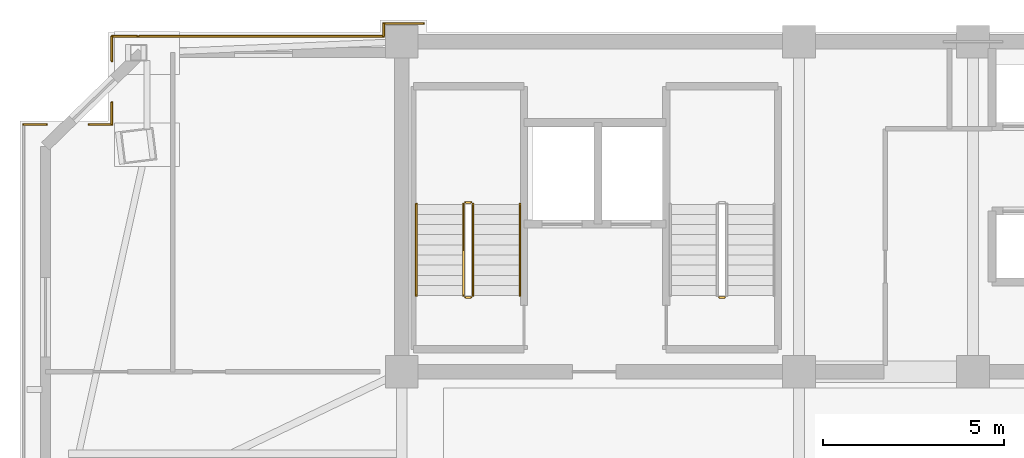
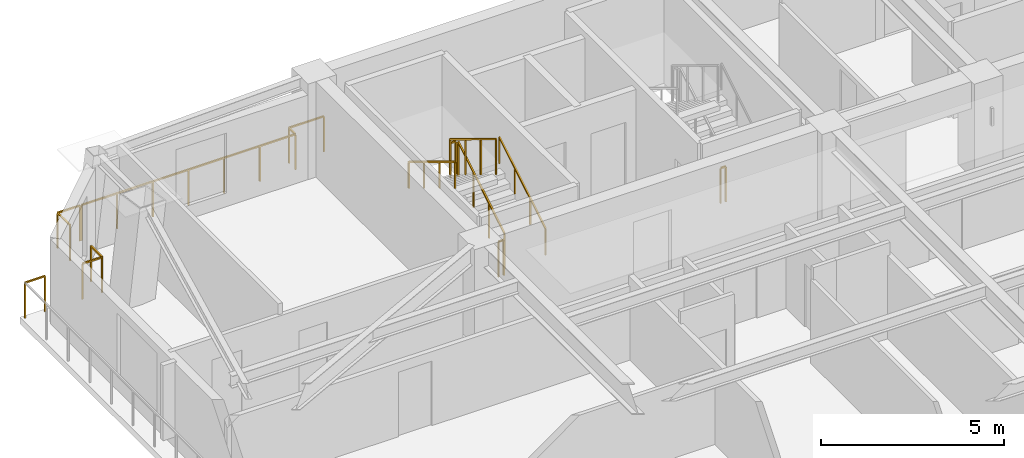
# One storey, part 13 of 15: 15 railings.
"""IFC4 building model written with IfcOpenShell, lengths in metres."""

from ifc_helpers import new_model, si_unit, direction, frame, origin, origin_2d, place, context, subcontext, project, spatial, rectangle, extrude, material, type_object, element, save


model = new_model("IFC4")

# Units and contexts
model_context = context("Model", 3, precision=1e-05, world=origin(), true_north=direction((0.0, 1.0)))
body_context = subcontext(model_context, "Body", "Model", "MODEL_VIEW")
ifc_project = project(units=[si_unit("LENGTHUNIT", "METRE"), si_unit("AREAUNIT", "SQUARE_METRE"), si_unit("VOLUMEUNIT", "CUBIC_METRE"), si_unit("PLANEANGLEUNIT", "RADIAN"), si_unit("MASSUNIT", "GRAM", prefix="KILO")], contexts=[model_context])

# Site, building, storey
site_placement = place(None, origin())
site = spatial("IfcSite", under=ifc_project, at=site_placement, CompositionType="ELEMENT")
building_placement = place(site_placement, origin())
building = spatial("IfcBuilding", under=site, at=building_placement, Name="Giltprow Tower", CompositionType="ELEMENT")
storey_placement = place(building_placement, frame((0.0, 0.0, 300.60009765625)))
storey = spatial("IfcBuildingStorey", under=building, at=storey_placement, Name="L77", CompositionType="ELEMENT", Elevation=300.60009765625)

# Railings
ifc_material = material(Name="Anodized bronze", Category="metal")
railing_type_1 = type_object("IfcRailingType", Name="RAIL-BALC-GUARD-1200", PredefinedType="BALUSTRADE", material=ifc_material)
railing_1_placement = place(storey_placement, frame((9.424072265625, 44.27001953125, 0.0)))
element("IfcRailing", 1, at=railing_1_placement, inside=storey, type_object=railing_type_1, Name="L77 Corner Apron Edge Balustrade 14", PredefinedType="BALUSTRADE", context=body_context, shape_type="SweptSolid", body=[
    extrude(rectangle(XDim=0.048095703125, YDim=0.048095703125, at=origin_2d()), frame((0.0, 0.0, 1.17578125), z_axis=(1.0, 0.0, 0.0), x_axis=(0.0, 1.0, 0.0)), (0.0, 0.0, 1.0), 0.6298828125),
    extrude(rectangle(XDim=0.0419921875, YDim=0.0419921875, at=origin_2d()), origin(), (0.0, 0.0, 1.0), 1.15185546875),
    extrude(rectangle(XDim=0.0419921875, YDim=0.0419921875, at=origin_2d()), frame((0.6298828125, 0.0, 0.0)), (0.0, 0.0, 1.0), 1.15185546875),
])
railing_2_placement = place(storey_placement, frame((11.23095703125, 44.27001953125, 0.0)))
element("IfcRailing", 2, at=railing_2_placement, inside=storey, type_object=railing_type_1, Name="L77 Corner Apron Edge Balustrade 15", PredefinedType="BALUSTRADE", context=body_context, shape_type="SweptSolid", body=[
    extrude(rectangle(XDim=0.048095703125, YDim=0.048095703125, at=origin_2d()), frame((0.0, 0.0, 1.17578125), z_axis=(1.0, 0.0, 0.0), x_axis=(0.0, 1.0, 0.0)), (0.0, 0.0, 1.0), 0.6240234375),
    extrude(rectangle(XDim=0.0419921875, YDim=0.0419921875, at=origin_2d()), origin(), (0.0, 0.0, 1.0), 1.15185546875),
    extrude(rectangle(XDim=0.0419921875, YDim=0.0419921875, at=origin_2d()), frame((0.6240234375, 0.0, 0.0)), (0.0, 0.0, 1.0), 1.15185546875),
])
railing_3_placement = place(storey_placement, frame((11.85498046875, 44.27001953125, 0.0)))
element("IfcRailing", 3, at=railing_3_placement, inside=storey, type_object=railing_type_1, Name="L77 Corner Apron Edge Balustrade 16", PredefinedType="BALUSTRADE", context=body_context, shape_type="SweptSolid", body=[
    extrude(rectangle(XDim=0.048095703125, YDim=0.048095703125, at=origin_2d()), frame((0.0, 0.0, 1.17578125), z_axis=(0.0, 1.0, 0.0), x_axis=(-1.0, 0.0, 0.0)), (0.0, 0.0, 1.0), 0.60693359375),
    extrude(rectangle(XDim=0.0419921875, YDim=0.0419921875, at=origin_2d()), origin(), (0.0, 0.0, 1.0), 1.15185546875),
    extrude(rectangle(XDim=0.0419921875, YDim=0.0419921875, at=origin_2d()), frame((0.0, 0.60693359375, 0.0)), (0.0, 0.0, 1.0), 1.15185546875),
])
railing_4_placement = place(storey_placement, frame((11.85498046875, 46.02001953125, 0.0)))
element("IfcRailing", 4, at=railing_4_placement, inside=storey, type_object=railing_type_1, Name="L77 Corner Apron Edge Balustrade 17", PredefinedType="BALUSTRADE", context=body_context, shape_type="SweptSolid", body=[
    extrude(rectangle(XDim=0.048095703125, YDim=0.048095703125, at=origin_2d()), frame((0.0, 0.0, 1.17578125), z_axis=(0.0, 1.0, 0.0), x_axis=(-1.0, 0.0, 0.0)), (0.0, 0.0, 1.0), 0.679931640625),
    extrude(rectangle(XDim=0.0419921875, YDim=0.0419921875, at=origin_2d()), origin(), (0.0, 0.0, 1.0), 1.15185546875),
    extrude(rectangle(XDim=0.0419921875, YDim=0.0419921875, at=origin_2d()), frame((0.0, 0.679931640625, 0.0)), (0.0, 0.0, 1.0), 1.15185546875),
])
railing_5_placement = place(storey_placement, frame((11.85498046875, 46.699951171875, 0.0)))
element("IfcRailing", 5, at=railing_5_placement, inside=storey, type_object=railing_type_1, Name="L77 Corner Apron Edge Balustrade 18", PredefinedType="BALUSTRADE", context=body_context, shape_type="SweptSolid", body=[
    extrude(rectangle(XDim=0.048095703125, YDim=0.048095703125, at=origin_2d()), frame((0.0, 0.0, 1.17578125), z_axis=(1.0, 0.0, 0.0), x_axis=(0.0, 1.0, 0.0)), (0.0, 0.0, 1.0), 0.699951171875),
    extrude(rectangle(XDim=0.0419921875, YDim=0.0419921875, at=origin_2d()), origin(), (0.0, 0.0, 1.0), 1.15185546875),
    extrude(rectangle(XDim=0.0419921875, YDim=0.0419921875, at=origin_2d()), frame((0.699951171875, 0.0, 0.0)), (0.0, 0.0, 1.0), 1.15185546875),
])
railing_6_placement = place(storey_placement, frame((12.60498046875, 46.699951171875, 0.0)))
element("IfcRailing", 6, at=railing_6_placement, inside=storey, type_object=railing_type_1, Name="L77 Corner Apron Edge Balustrade 19", PredefinedType="BALUSTRADE", context=body_context, shape_type="SweptSolid", body=[
    extrude(rectangle(XDim=0.048095703125, YDim=0.048095703125, at=origin_2d()), frame((0.0, 0.0, 1.17578125), z_axis=(1.0, 0.0, 0.0), x_axis=(0.0, 1.0, 0.0)), (0.0, 0.0, 1.0), 6.7451171875),
    extrude(rectangle(XDim=0.0419921875, YDim=0.0419921875, at=origin_2d()), origin(), (0.0, 0.0, 1.0), 1.15185546875),
    extrude(rectangle(XDim=0.0419921875, YDim=0.0419921875, at=origin_2d()), frame((1.124267578125, 0.0, 0.0)), (0.0, 0.0, 1.0), 1.15185546875),
    extrude(rectangle(XDim=0.0419921875, YDim=0.0419921875, at=origin_2d()), frame((2.248291015625, 0.0, 0.0)), (0.0, 0.0, 1.0), 1.15185546875),
    extrude(rectangle(XDim=0.0419921875, YDim=0.0419921875, at=origin_2d()), frame((3.37255859375, 0.0, 0.0)), (0.0, 0.0, 1.0), 1.15185546875),
    extrude(rectangle(XDim=0.0419921875, YDim=0.0419921875, at=origin_2d()), frame((4.496826171875, 0.0, 0.0)), (0.0, 0.0, 1.0), 1.15185546875),
    extrude(rectangle(XDim=0.0419921875, YDim=0.0419921875, at=origin_2d()), frame((5.620849609375, 0.0, 0.0)), (0.0, 0.0, 1.0), 1.15185546875),
    extrude(rectangle(XDim=0.0419921875, YDim=0.0419921875, at=origin_2d()), frame((6.7451171875, 0.0, 0.0)), (0.0, 0.0, 1.0), 1.15185546875),
])
railing_7_placement = place(storey_placement, frame((19.35009765625, 46.699951171875, 0.0)))
element("IfcRailing", 7, at=railing_7_placement, inside=storey, type_object=railing_type_1, Name="L77 Corner Apron Edge Balustrade 20", PredefinedType="BALUSTRADE", context=body_context, shape_type="SweptSolid", body=[
    extrude(rectangle(XDim=0.048095703125, YDim=0.048095703125, at=origin_2d()), frame((0.0, 0.0, 1.17578125), z_axis=(0.0, 1.0, 0.0), x_axis=(-1.0, 0.0, 0.0)), (0.0, 0.0, 1.0), 0.35009765625),
    extrude(rectangle(XDim=0.0419921875, YDim=0.0419921875, at=origin_2d()), origin(), (0.0, 0.0, 1.0), 1.15185546875),
    extrude(rectangle(XDim=0.0419921875, YDim=0.0419921875, at=origin_2d()), frame((0.0, 0.35009765625, 0.0)), (0.0, 0.0, 1.0), 1.15185546875),
])
railing_8_placement = place(storey_placement, frame((19.35009765625, 47.050048828125, 0.0)))
element("IfcRailing", 8, at=railing_8_placement, inside=storey, type_object=railing_type_1, Name="L77 Corner Apron Edge Balustrade 21", PredefinedType="BALUSTRADE", context=body_context, shape_type="SweptSolid", body=[
    extrude(rectangle(XDim=0.048095703125, YDim=0.048095703125, at=origin_2d()), frame((0.0, 0.0, 1.17578125), z_axis=(1.0, 0.0, 0.0), x_axis=(0.0, 1.0, 0.0)), (0.0, 0.0, 1.0), 1.099853515625),
    extrude(rectangle(XDim=0.0419921875, YDim=0.0419921875, at=origin_2d()), origin(), (0.0, 0.0, 1.0), 1.15185546875),
    extrude(rectangle(XDim=0.0419921875, YDim=0.0419921875, at=origin_2d()), frame((1.099853515625, 0.0, 0.0)), (0.0, 0.0, 1.0), 1.15185546875),
])
railing_type_2 = type_object("IfcRailingType", Name="RAIL-STAIR-GUARD-1200", PredefinedType="GUARDRAIL", material=ifc_material)
railing_9_placement = place(storey_placement, frame((21.81005859375, 39.550048828125, 0.169921875)))
element("IfcRailing", 9, at=railing_9_placement, inside=storey, type_object=railing_type_2, Name="L77 ST-1 stair guard 1", PredefinedType="GUARDRAIL", context=body_context, shape_type="SweptSolid", body=[
    extrude(rectangle(XDim=0.048095703125, YDim=0.048095703125, at=origin_2d()), frame((0.0, 0.0, 1.17578125), z_axis=(0.0, 0.85478489116, 0.518982456201), x_axis=(-1.0, 0.0, 0.0)), (0.0, 0.0, 1.0), 2.9482421875),
    extrude(rectangle(XDim=0.0419921875, YDim=0.0419921875, at=origin_2d()), origin(), (0.0, 0.0, 1.0), 1.15185546875),
    extrude(rectangle(XDim=0.0419921875, YDim=0.0419921875, at=origin_2d()), frame((0.0, 0.840087890625, 0.510009765625)), (0.0, 0.0, 1.0), 1.15185546875),
    extrude(rectangle(XDim=0.0419921875, YDim=0.0419921875, at=origin_2d()), frame((0.0, 1.679931640625, 1.02001953125)), (0.0, 0.0, 1.0), 1.15185546875),
    extrude(rectangle(XDim=0.0419921875, YDim=0.0419921875, at=origin_2d()), frame((0.0, 2.52001953125, 1.530029296875)), (0.0, 0.0, 1.0), 1.15185546875),
])
railing_10_placement = place(storey_placement, frame((21.760009765625, 42.1201171875, 1.699951171875)))
element("IfcRailing", 10, at=railing_10_placement, inside=storey, type_object=railing_type_2, Name="L77 ST-1 stair guard 2", PredefinedType="GUARDRAIL", context=body_context, shape_type="SweptSolid", body=[
    extrude(rectangle(XDim=0.048095703125, YDim=0.048095703125, at=origin_2d()), frame((0.0, 0.0, 1.17578125), z_axis=(-1.0, 0.0, 0.0), x_axis=(0.0, -1.0, 0.0)), (0.0, 0.0, 1.0), 0.159912109375),
    extrude(rectangle(XDim=0.0419921875, YDim=0.0419921875, at=origin_2d()), origin(), (0.0, 0.0, 1.0), 1.15185546875),
    extrude(rectangle(XDim=0.0419921875, YDim=0.0419921875, at=origin_2d()), frame((-0.159912109375, 0.0, 0.0)), (0.0, 0.0, 1.0), 1.15185546875),
])
railing_11_placement = place(storey_placement, frame((21.550048828125, 42.070068359375, 1.869873046875)))
element("IfcRailing", 11, at=railing_11_placement, inside=storey, type_object=railing_type_2, Name="L77 ST-1 stair guard 3", PredefinedType="GUARDRAIL", context=body_context, shape_type="SweptSolid", body=[
    extrude(rectangle(XDim=0.048095703125, YDim=0.048095703125, at=origin_2d()), frame((0.0, 0.0, 1.17578125), z_axis=(0.0, -0.85478489116, 0.518982456201), x_axis=(1.0, 0.0, 0.0)), (0.0, 0.0, 1.0), 2.9482421875),
    extrude(rectangle(XDim=0.0419921875, YDim=0.0419921875, at=origin_2d()), origin(), (0.0, 0.0, 1.0), 1.15185546875),
    extrude(rectangle(XDim=0.0419921875, YDim=0.0419921875, at=origin_2d()), frame((0.0, -0.840087890625, 0.510009765625)), (0.0, 0.0, 1.0), 1.15185546875),
    extrude(rectangle(XDim=0.0419921875, YDim=0.0419921875, at=origin_2d()), frame((0.0, -1.679931640625, 1.02001953125)), (0.0, 0.0, 1.0), 1.15185546875),
    extrude(rectangle(XDim=0.0419921875, YDim=0.0419921875, at=origin_2d()), frame((0.0, -2.52001953125, 1.530029296875)), (0.0, 0.0, 1.0), 1.15185546875),
])
for number, where, name in (
    (12, (21.760009765625, 39.5, 0.0), "L77 ST-1 stair guard 4"),
    (13, (28.760009765625, 39.5, 0.0), "L77 ST-2 stair guard 4"),
):
    element("IfcRailing", number, at=place(storey_placement, frame(where)), inside=storey, type_object=railing_type_2, Name=name, PredefinedType="GUARDRAIL", context=body_context, shape_type="SweptSolid", body=[
        extrude(rectangle(XDim=0.048095703125, YDim=0.048095703125, at=origin_2d()), frame((0.0, 0.0, 1.17578125), z_axis=(-1.0, 0.0, 0.0), x_axis=(0.0, -1.0, 0.0)), (0.0, 0.0, 1.0), 0.159912109375),
        extrude(rectangle(XDim=0.0419921875, YDim=0.0419921875, at=origin_2d()), origin(), (0.0, 0.0, 1.0), 1.15185546875),
        extrude(rectangle(XDim=0.0419921875, YDim=0.0419921875, at=origin_2d()), frame((-0.159912109375, 0.0, 0.0)), (0.0, 0.0, 1.0), 1.15185546875),
    ])
railing_type_3 = type_object("IfcRailingType", Name="RAIL-STAIR-HAND-900", PredefinedType="HANDRAIL", material=ifc_material)
railing_12_placement = place(storey_placement, frame((23.110107421875, 39.550048828125, 0.169921875)))
element("IfcRailing", 14, at=railing_12_placement, inside=storey, type_object=railing_type_3, Name="L77 ST-1 stair handrail 1", PredefinedType="HANDRAIL", context=body_context, shape_type="SweptSolid", body=[
    extrude(rectangle(XDim=0.048095703125, YDim=0.048095703125, at=origin_2d()), frame((0.0, 0.0, 0.8759765625), z_axis=(0.0, 0.85478489116, 0.518982456201), x_axis=(-1.0, 0.0, 0.0)), (0.0, 0.0, 1.0), 2.9482421875),
    extrude(rectangle(XDim=0.0419921875, YDim=0.0419921875, at=origin_2d()), origin(), (0.0, 0.0, 1.0), 0.851806640625),
    extrude(rectangle(XDim=0.0419921875, YDim=0.0419921875, at=origin_2d()), frame((0.0, 0.840087890625, 0.510009765625)), (0.0, 0.0, 1.0), 0.851806640625),
    extrude(rectangle(XDim=0.0419921875, YDim=0.0419921875, at=origin_2d()), frame((0.0, 1.679931640625, 1.02001953125)), (0.0, 0.0, 1.0), 0.851806640625),
    extrude(rectangle(XDim=0.0419921875, YDim=0.0419921875, at=origin_2d()), frame((0.0, 2.52001953125, 1.530029296875)), (0.0, 0.0, 1.0), 0.851806640625),
])
railing_13_placement = place(storey_placement, frame((20.25, 42.070068359375, 1.869873046875)))
element("IfcRailing", 15, at=railing_13_placement, inside=storey, type_object=railing_type_3, Name="L77 ST-1 stair handrail 2", PredefinedType="HANDRAIL", context=body_context, shape_type="SweptSolid", body=[
    extrude(rectangle(XDim=0.048095703125, YDim=0.048095703125, at=origin_2d()), frame((0.0, 0.0, 0.8759765625), z_axis=(0.0, -0.85478489116, 0.518982456201), x_axis=(1.0, 0.0, 0.0)), (0.0, 0.0, 1.0), 2.9482421875),
    extrude(rectangle(XDim=0.0419921875, YDim=0.0419921875, at=origin_2d()), origin(), (0.0, 0.0, 1.0), 0.851806640625),
    extrude(rectangle(XDim=0.0419921875, YDim=0.0419921875, at=origin_2d()), frame((0.0, -0.840087890625, 0.510009765625)), (0.0, 0.0, 1.0), 0.851806640625),
    extrude(rectangle(XDim=0.0419921875, YDim=0.0419921875, at=origin_2d()), frame((0.0, -1.679931640625, 1.02001953125)), (0.0, 0.0, 1.0), 0.851806640625),
    extrude(rectangle(XDim=0.0419921875, YDim=0.0419921875, at=origin_2d()), frame((0.0, -2.52001953125, 1.530029296875)), (0.0, 0.0, 1.0), 0.851806640625),
])

save(model, "model.ifc")
